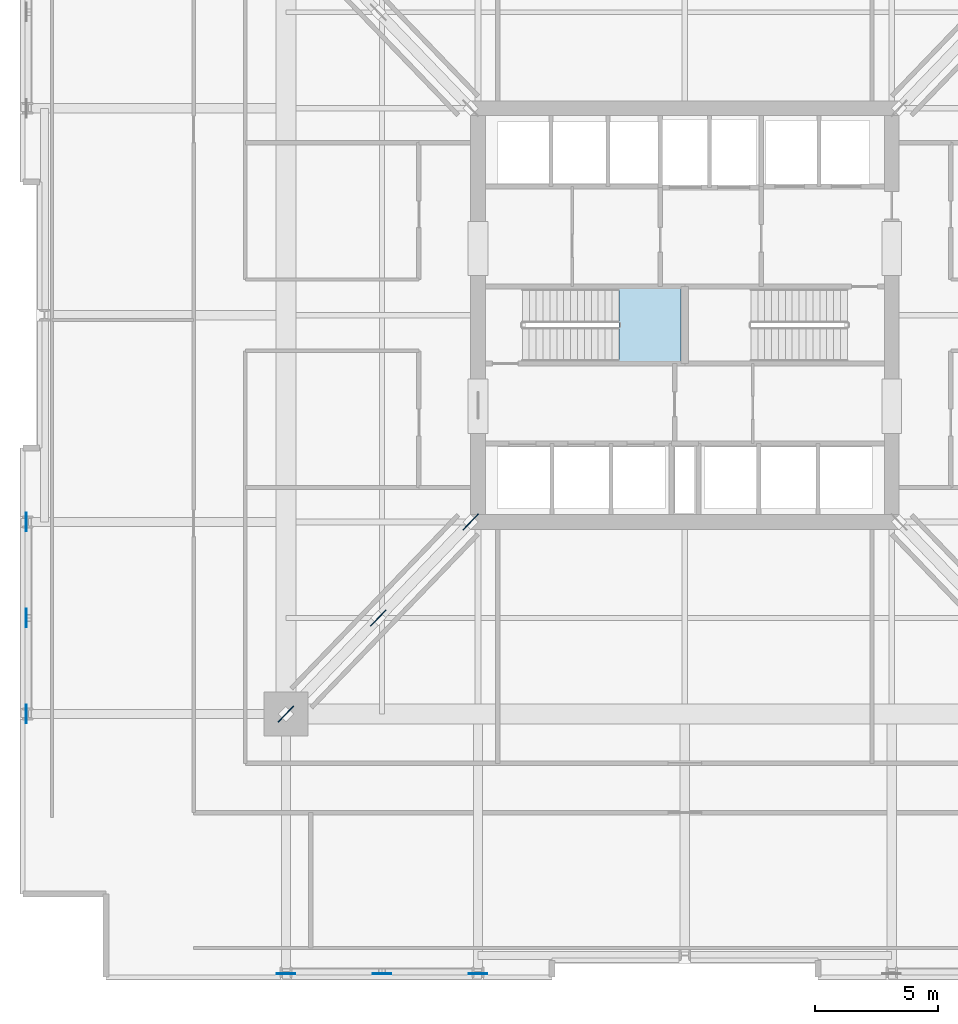
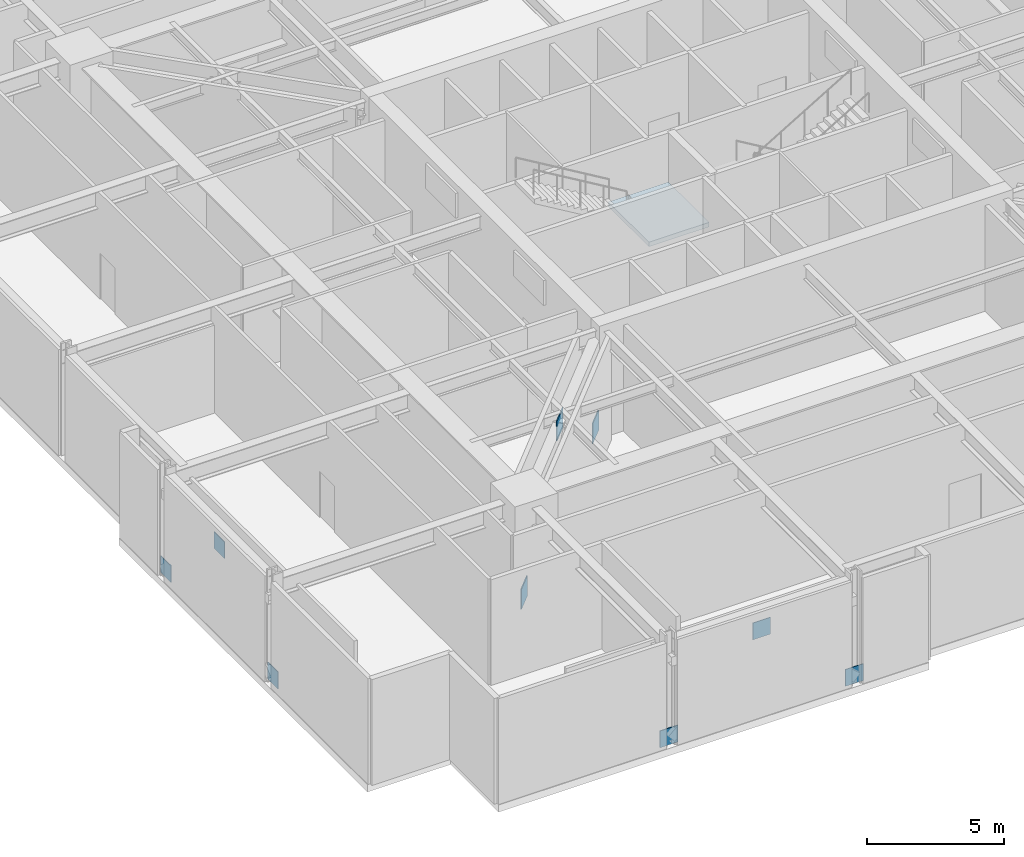
# One storey, part 3 of 13: 9 plates, 1 slab, 1 element without a shape of its own.
"""IFC4 building model written with IfcOpenShell, lengths in metres."""

from ifc_helpers import new_model, si_unit, direction, frame, origin, origin_2d, place, context, subcontext, project, spatial, polyline, rectangle, outline, extrude, material, layer, layer_set, type_object, element, aggregate, save


model = new_model("IFC4")

# Units and contexts
model_context = context("Model", 3, precision=1e-05, world=origin(), true_north=direction((0.0, 1.0)))
body_context = subcontext(model_context, "Body", "Model", "MODEL_VIEW")
ifc_project = project(units=[si_unit("LENGTHUNIT", "METRE"), si_unit("AREAUNIT", "SQUARE_METRE"), si_unit("VOLUMEUNIT", "CUBIC_METRE"), si_unit("PLANEANGLEUNIT", "RADIAN"), si_unit("MASSUNIT", "GRAM", prefix="KILO")], contexts=[model_context])

# Site, building, storey
site_placement = place(None, origin())
site = spatial("IfcSite", under=ifc_project, at=site_placement, CompositionType="ELEMENT")
building_placement = place(site_placement, origin())
building = spatial("IfcBuilding", under=site, at=building_placement, Name="Drelvath Grand Hotel", CompositionType="ELEMENT")
storey_placement = place(building_placement, frame((0.0, 0.0, 82.199951171875)))
storey = spatial("IfcBuildingStorey", under=building, at=storey_placement, Name="L20", CompositionType="ELEMENT", Elevation=82.199951171875)

# Plates
ifc_material_1 = material(Name="Steel ASTM A572 Gr 50", Category="steel")
ifc_layer_1 = layer(ifc_material_1, 0.031982421875)
ifc_layer_set_1 = layer_set([ifc_layer_1], Name="Steel ASTM A572 Gr 50")
plate_type_1 = type_object("IfcPlateType", Name="Belt Truss Node Gusset Plate 32mm", PredefinedType="USERDEFINED", material=ifc_layer_set_1)
for number, where, z_axis, x_axis, name in (
    (1, (-26.75, 10.800048828125, -0.02490234375), (0.0, 0.0, 1.0), (0.0, 1.0, 0.0), "L20 Belt Truss Start Gusset BW-S"),
    (2, (-26.75, 14.699951171875, 3.405029296875), (0.0, 0.0, 1.0), (0.0, 1.0, 0.0), "L20 Belt Truss Apex Gusset BW-S"),
    (3, (-26.75, 18.60009765625, -0.02490234375), (0.0, 0.0, 1.0), (0.0, 1.0, 0.0), "L20 Belt Truss End Gusset BW-S"),
    (4, (-16.199951171875, 0.25, -0.02490234375), (0.0, 0.0, 1.0), (1.0, 0.0, 0.0), "L20 Belt Truss Start Gusset BS-W"),
    (5, (-12.300048828125, 0.25, 3.405029296875), (0.0, 0.0, 1.0), (1.0, 0.0, 0.0), "L20 Belt Truss Apex Gusset BS-W"),
    (6, (-8.39990234375, 0.25, -0.02490234375), (0.0, 0.0, 1.0), (1.0, 0.0, 0.0), "L20 Belt Truss End Gusset BS-W"),
):
    element("IfcPlate", number, at=place(storey_placement, frame(where, z_axis=z_axis, x_axis=x_axis)), inside=storey, type_object=plate_type_1, Name=name, ObjectType="GUSSET_PLATE", PredefinedType="USERDEFINED", context=body_context, shape_type="SweptSolid", body=[
        extrude(rectangle(XDim=0.75, YDim=0.031982421875, at=origin_2d()), origin(), (0.0, 0.0, 1.0), 0.75),
    ])

# Stair, slab
ifc_material_2 = material(Name="Concrete C40/50", Category="concrete")
stair_type = type_object("IfcStairType", Name="Dogleg Exit Stair W1400-R166.7", PredefinedType="HALF_TURN_STAIR", material=ifc_material_2)
stair_placement = place(storey_placement, origin())
stair = element("IfcStair", 7, at=stair_placement, inside=storey, type_object=stair_type, Name="L20 Core Exit Stair ST-1", PredefinedType="HALF_TURN_STAIR")
ifc_layer_2 = layer(ifc_material_2, 0.199951171875)
ifc_layer_set_2 = layer_set([ifc_layer_2], Name="Concrete C40/50")
slab_type = type_object("IfcSlabType", Name="Concrete Stair Landing Slab 200", PredefinedType="LANDING", material=ifc_layer_set_2)
slab_placement = place(storey_placement, frame((0.0, 0.0, 2.300048828125)))
slab = element("IfcSlab", 8, at=slab_placement, type_object=slab_type, Name="ST-1 landing 1", PredefinedType="LANDING", context=body_context, shape_type="SweptSolid", body=[
    extrude(outline(polyline([(-2.679931640625, 25.1201171875), (-0.14990234375, 25.1201171875), (-0.14990234375, 28.080078125), (-2.679931640625, 28.080078125), (-2.679931640625, 25.1201171875)])), origin(), (0.0, 0.0, 1.0), 0.199951171875),
])
aggregate(stair, [slab])

# Plates
ifc_layer_3 = layer(ifc_material_1, 0.0400390625)
ifc_layer_set_3 = layer_set([ifc_layer_3], Name="Steel ASTM A572 Gr 50")
plate_type_2 = type_object("IfcPlateType", Name="Outrigger Node Gusset Plate 40mm", PredefinedType="USERDEFINED", material=ifc_layer_set_3)
for number, where, z_axis, x_axis, name in (
    (9, (-8.699951171875, 18.60009765625, -0.099853515625), (0.0, 0.0, 1.0), (-0.693108716253, -0.720833064901, 0.0), "L20 Outrigger Node Gusset SW-1"),
    (10, (-12.449951171875, 14.699951171875, 3.7001953125), (0.0, 0.0, 1.0), (-0.693108716253, -0.720833064901, 0.0), "L20 Outrigger Node Gusset SW-2"),
    (11, (-16.199951171875, 10.800048828125, -0.099853515625), (0.0, 0.0, 1.0), (-0.693108716253, -0.720833064901, 0.0), "L20 Outrigger Node Gusset SW-3"),
):
    element("IfcPlate", number, at=place(storey_placement, frame(where, z_axis=z_axis, x_axis=x_axis)), inside=storey, type_object=plate_type_2, Name=name, ObjectType="GUSSET_PLATE", PredefinedType="USERDEFINED", context=body_context, shape_type="SweptSolid", body=[
        extrude(rectangle(XDim=0.89990234375, YDim=0.0400390625, at=origin_2d()), origin(), (0.0, 0.0, 1.0), 0.89990234375),
    ])

save(model, "model.ifc")
